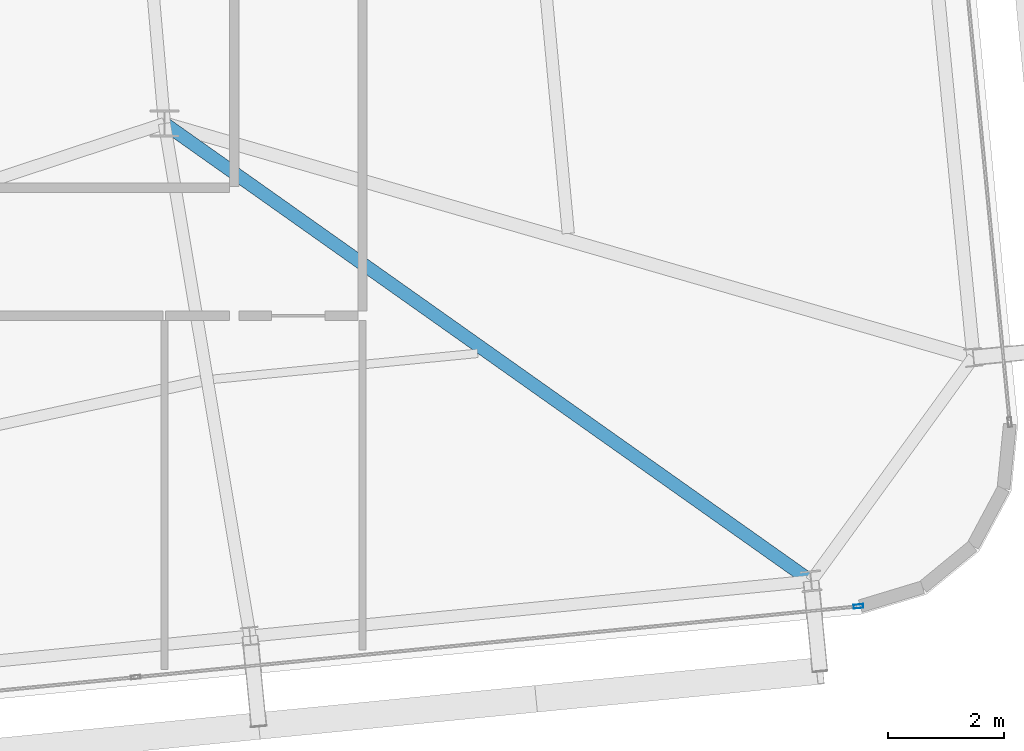
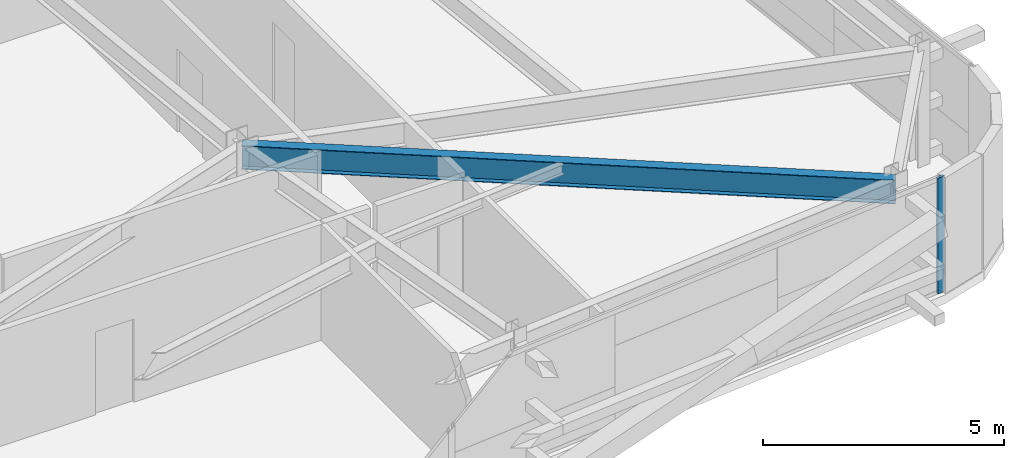
# One storey, part 17 of 47: 1 beam, 1 member, 1 element without a shape of its own.
"""IFC4 building model written with IfcOpenShell, lengths in metres."""

from ifc_helpers import new_model, si_unit, direction, frame, origin, origin_2d, place, context, subcontext, project, spatial, hollow_rectangle, i_section, extrude, source, transform, mapped, material, layer, layer_set, material_profile, profile_set, type_object, element, aggregate, save


model = new_model("IFC4")

# Units and contexts
model_context = context("Model", 3, precision=1e-05, world=origin(), true_north=direction((0.0, 1.0)))
body_context = subcontext(model_context, "Body", "Model", "MODEL_VIEW")
ifc_project = project(units=[si_unit("LENGTHUNIT", "METRE"), si_unit("AREAUNIT", "SQUARE_METRE"), si_unit("VOLUMEUNIT", "CUBIC_METRE"), si_unit("PLANEANGLEUNIT", "RADIAN"), si_unit("MASSUNIT", "GRAM", prefix="KILO")], contexts=[model_context])

# Site, building, storey
site_placement = place(None, origin())
site = spatial("IfcSite", under=ifc_project, at=site_placement, CompositionType="ELEMENT")
building_placement = place(site_placement, origin())
building = spatial("IfcBuilding", under=site, at=building_placement, Name="Taldren Reach Tower", CompositionType="ELEMENT")
storey_placement = place(building_placement, frame((0.0, 0.0, 106.050048828125)))
storey = spatial("IfcBuildingStorey", under=building, at=storey_placement, Name="L32", CompositionType="ELEMENT", Elevation=106.050048828125)

# Beam
ifc_material_1 = material(Name="Steel Gr 350 (350PLUS)", Category="steel")
ifc_material_profile_1 = material_profile(ifc_material_1, i_section(OverallWidth=0.22802734375, OverallDepth=0.60205078125, WebThickness=0.010498046875, FlangeThickness=0.014892578125, at=origin_2d()), Name="610UB101")
ifc_profile_set_1 = profile_set([ifc_material_profile_1], Name="Steel Gr 350 (350PLUS)")
beam_type = type_object("IfcBeamType", Name="BM-UB610B", PredefinedType="BEAM", material=ifc_profile_set_1)
shared_shape_1 = source(origin(), body_context, "Body", "SweptSolid", [
    extrude(i_section(OverallWidth=0.22802734375, OverallDepth=0.60205078125, WebThickness=0.010498046875, FlangeThickness=0.014892578125, at=origin_2d()), origin(), (0.0, 0.0, 1.0), 13.60205078125),
])
beam_placement = place(storey_placement, frame((52.0, 12.5, 2.62890625), z_axis=(0.816297773281, -0.577631323022, 0.0), x_axis=(0.577631323022, 0.816297773281, 0.0)))
element("IfcBeam", 1, at=beam_placement, inside=storey, type_object=beam_type, Name="Primary floor girder B2-S6 L32", PredefinedType="BEAM", context=body_context, shape_type="MappedRepresentation", body=[
    mapped(shared_shape_1, transform((0.0, 0.0, 0.0), scale=1.0)),
])

# Curtain wall, member
ifc_material_2 = material(Name="Aluminium and Low-E Glass Unitised System", Category="aluminium")
ifc_layer = layer(ifc_material_2, 0.159912109375)
ifc_layer_set = layer_set([ifc_layer], Name="Aluminium and Low-E Glass Unitised System")
curtain_wall_type = type_object("IfcCurtainWallType", Name="CW-SYS-3", PredefinedType="NOTDEFINED", material=ifc_layer_set)
curtain_wall_placement = place(storey_placement, origin())
curtain_wall = element("IfcCurtainWall", 2, at=curtain_wall_placement, inside=storey, type_object=curtain_wall_type, Name="Unitised curtain wall CW-L32-S", PredefinedType="NOTDEFINED")
ifc_material_3 = material(Name="Anodised Aluminium 6063-T6", Category="aluminium")
ifc_material_profile_2 = material_profile(ifc_material_3, hollow_rectangle(XDim=0.06494140625, YDim=0.1650390625, WallThickness=0.00390625, at=origin_2d()), Name="ALU-165x65x4RHS")
ifc_profile_set_2 = profile_set([ifc_material_profile_2], Name="Anodised Aluminium 6063-T6")
member_type = type_object("IfcMemberType", Name="CW-MUL-165", PredefinedType="MULLION", material=ifc_profile_set_2)
shared_shape_2 = source(origin(), body_context, "Body", "SweptSolid", [
    extrude(hollow_rectangle(XDim=0.06494140625, YDim=0.1650390625, WallThickness=0.00390625, at=origin_2d()), origin(), (0.0, 0.0, 1.0), 2.929931640625),
])
member_placement = place(storey_placement, frame((63.916748046875, 4.21044921875, 0.0), z_axis=(0.0, 0.0, 1.0), x_axis=(-0.097582999046, 0.995227390247, 0.0)))
member = element("IfcMember", 3, at=member_placement, type_object=member_type, Name="CW-3 mullion 5", PredefinedType="MULLION", context=body_context, shape_type="MappedRepresentation", body=[
    mapped(shared_shape_2, transform((0.0, 0.0, 0.0), scale=1.0)),
])
aggregate(curtain_wall, [member])

save(model, "model.ifc")
